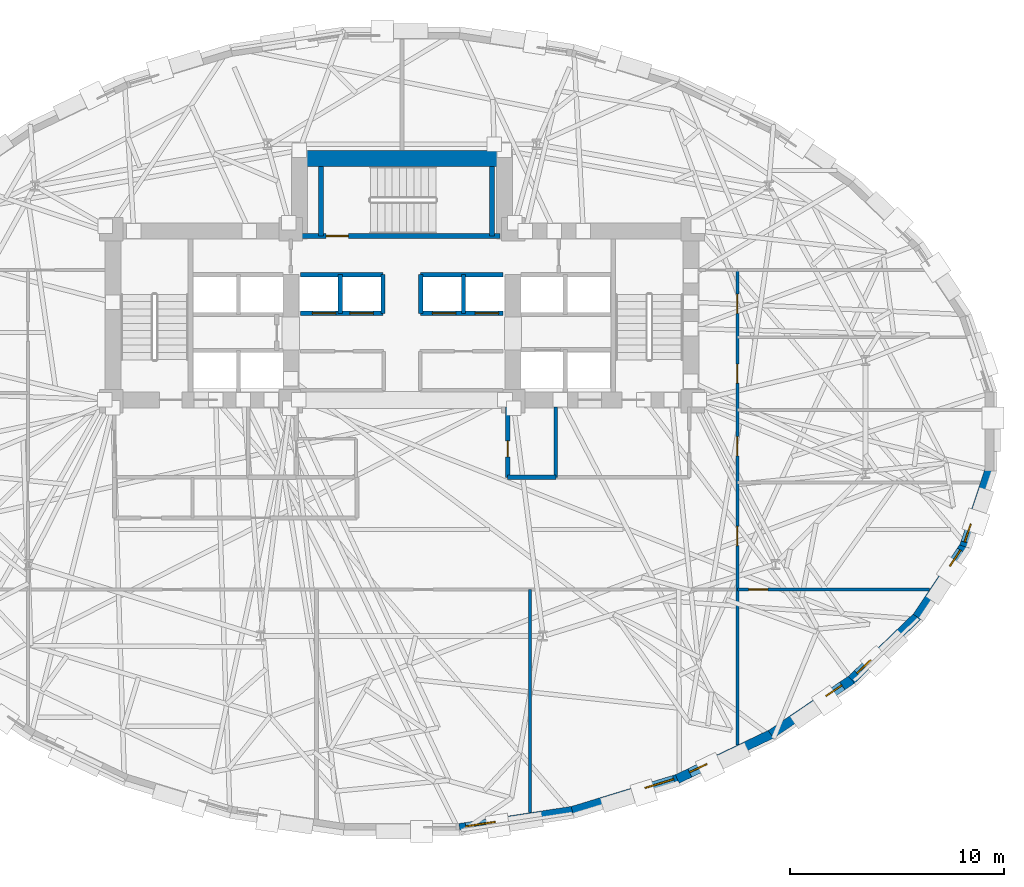
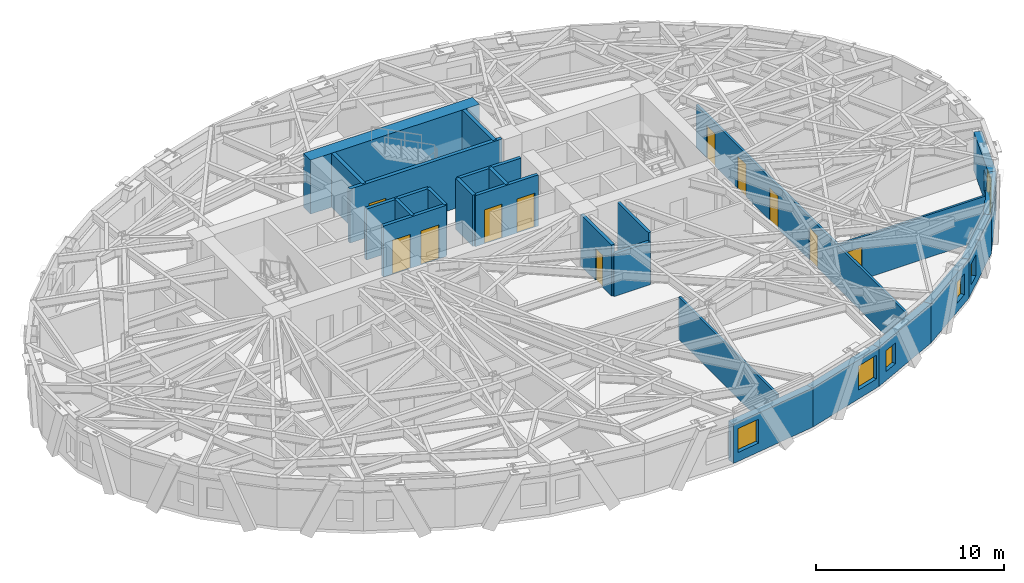
# One storey, part 8 of 14: 25 walls, 11 doors, 7 windows, 18 openings.
"""IFC4 building model written with IfcOpenShell, lengths in metres."""

from ifc_helpers import new_model, si_unit, direction, frame, frame_2d, origin, place, context, subcontext, project, spatial, rectangle, extrude, material, layer, layer_set, type_object, element, fill, save


model = new_model("IFC4")

# Units and contexts
model_context = context("Model", 3, precision=1e-05, world=origin(), true_north=direction((0.0, 1.0)))
body_context = subcontext(model_context, "Body", "Model", "MODEL_VIEW")
ifc_project = project(units=[si_unit("LENGTHUNIT", "METRE"), si_unit("AREAUNIT", "SQUARE_METRE"), si_unit("VOLUMEUNIT", "CUBIC_METRE"), si_unit("PLANEANGLEUNIT", "RADIAN"), si_unit("MASSUNIT", "GRAM", prefix="KILO")], contexts=[model_context])

# Site, building, storey
site_placement = place(None, origin())
site = spatial("IfcSite", under=ifc_project, at=site_placement, CompositionType="ELEMENT")
building_placement = place(site_placement, origin())
building = spatial("IfcBuilding", under=site, at=building_placement, Name="Keldmark Tower", CompositionType="ELEMENT")
storey_placement = place(building_placement, frame((0.0, 0.0, 107.10009765625)))
storey = spatial("IfcBuildingStorey", under=building, at=storey_placement, Name="L28", CompositionType="ELEMENT", Elevation=107.10009765625)

# Wall, openings, doors
ifc_material_1 = material(Name="Acoustic Double-Layer Gypsum Corridor Partition", Category="gypsum")
ifc_layer_1 = layer(ifc_material_1, 0.139892578125)
ifc_layer_set_1 = layer_set([ifc_layer_1], Name="Acoustic Double-Layer Gypsum Corridor Partition")
wall_type_1 = type_object("IfcWallType", Name="Acoustic Corridor Partition 140 mm", PredefinedType="PARTITIONING", material=ifc_layer_set_1)
wall_1_placement = place(storey_placement, frame((15.699951171875, -14.6748046875, 0.0), z_axis=(0.0, 0.0, 1.0), x_axis=(0.0, 1.0, 0.0)))
wall_1 = element("IfcWall", 1, at=wall_1_placement, inside=storey, type_object=wall_type_1, Name="L28 Acoustic Corridor Partition 140 mm COR-E", PredefinedType="PARTITIONING", context=body_context, shape_type="SweptSolid", body=[
    extrude(rectangle(XDim=22.224853515625, YDim=0.139892578125, at=frame_2d((11.1123046875, 0.0))), origin(), (0.0, 0.0, 1.0), 2.762939453125),
])
opening_1_placement = place(wall_1_placement, frame((9.325439453125, 0.0, 0.0)))
opening_1 = element("IfcOpeningElement", 2, at=opening_1_placement, cuts=wall_1, Name="Opening D-IN090", PredefinedType="OPENING", context=body_context, shape_type="SweptSolid", body=[
    extrude(rectangle(XDim=0.89990234375, YDim=2.10009765625, at=frame_2d((0.449951171875, 1.050048828125))), frame((0.0, 0.079833984375, 0.0), z_axis=(0.0, -1.0, 0.0), x_axis=(1.0, 0.0, 0.0)), (0.0, 0.0, 1.0), 0.159912109375),
])
opening_2_placement = place(wall_1_placement, frame((13.525390625, 0.0, 0.0)))
opening_2 = element("IfcOpeningElement", 3, at=opening_2_placement, cuts=wall_1, Name="Opening D-IN090", PredefinedType="OPENING", context=body_context, shape_type="SweptSolid", body=[
    extrude(rectangle(XDim=0.89990234375, YDim=2.10009765625, at=frame_2d((0.449951171875, 1.050048828125))), frame((0.0, 0.079833984375, 0.0), z_axis=(0.0, -1.0, 0.0), x_axis=(1.0, 0.0, 0.0)), (0.0, 0.0, 1.0), 0.159912109375),
])
opening_3_placement = place(wall_1_placement, frame((16.92529296875, 0.0, 0.0)))
opening_3 = element("IfcOpeningElement", 4, at=opening_3_placement, cuts=wall_1, Name="Opening D-IN090", PredefinedType="OPENING", context=body_context, shape_type="SweptSolid", body=[
    extrude(rectangle(XDim=0.89990234375, YDim=2.10009765625, at=frame_2d((0.449951171875, 1.050048828125))), frame((0.0, 0.079833984375, 0.0), z_axis=(0.0, -1.0, 0.0), x_axis=(1.0, 0.0, 0.0)), (0.0, 0.0, 1.0), 0.159912109375),
])
opening_4_placement = place(wall_1_placement, frame((20.200439453125, 0.0, 0.0)))
opening_4 = element("IfcOpeningElement", 5, at=opening_4_placement, cuts=wall_1, Name="Opening D-IN090", PredefinedType="OPENING", context=body_context, shape_type="SweptSolid", body=[
    extrude(rectangle(XDim=0.89990234375, YDim=2.10009765625, at=frame_2d((0.449951171875, 1.050048828125))), frame((0.0, 0.079833984375, 0.0), z_axis=(0.0, -1.0, 0.0), x_axis=(1.0, 0.0, 0.0)), (0.0, 0.0, 1.0), 0.159912109375),
])
ifc_material_2 = material(Name="Stained American White Oak Veneer", Category="wood")
door_type_1 = type_object("IfcDoorType", Name="Interior Door 900x2100", OperationType="NOTDEFINED", PredefinedType="DOOR", material=ifc_material_2)
door_1_placement = place(opening_1_placement, origin())
door_1 = element("IfcDoor", 6, at=door_1_placement, inside=storey, type_object=door_type_1, Name="L28 Interior Door 900x2100 D-ER-1-L28", OperationType="SINGLE_SWING_RIGHT", OverallHeight=2.10009765625, OverallWidth=0.89990234375, PredefinedType="DOOR", context=body_context, shape_type="SweptSolid", body=[
    extrude(rectangle(XDim=0.89990234375, YDim=2.10009765625, at=frame_2d((0.449951171875, 1.050048828125))), frame((0.0, 0.02490234375, 0.0), z_axis=(0.0, -1.0, 0.0), x_axis=(1.0, 0.0, 0.0)), (0.0, 0.0, 1.0), 0.050048828125),
])
fill(opening_1, door_1)
door_2_placement = place(opening_2_placement, origin())
door_2 = element("IfcDoor", 7, at=door_2_placement, inside=storey, type_object=door_type_1, Name="L28 Interior Door 900x2100 D-ER-2-L28", OperationType="SINGLE_SWING_LEFT", OverallHeight=2.10009765625, OverallWidth=0.89990234375, PredefinedType="DOOR", context=body_context, shape_type="SweptSolid", body=[
    extrude(rectangle(XDim=0.89990234375, YDim=2.10009765625, at=frame_2d((0.449951171875, 1.050048828125))), frame((0.0, 0.02490234375, 0.0), z_axis=(0.0, -1.0, 0.0), x_axis=(1.0, 0.0, 0.0)), (0.0, 0.0, 1.0), 0.050048828125),
])
fill(opening_2, door_2)
door_3_placement = place(opening_3_placement, origin())
door_3 = element("IfcDoor", 8, at=door_3_placement, inside=storey, type_object=door_type_1, Name="L28 Interior Door 900x2100 D-ER-3-L28", OperationType="SINGLE_SWING_RIGHT", OverallHeight=2.10009765625, OverallWidth=0.89990234375, PredefinedType="DOOR", context=body_context, shape_type="SweptSolid", body=[
    extrude(rectangle(XDim=0.89990234375, YDim=2.10009765625, at=frame_2d((0.449951171875, 1.050048828125))), frame((0.0, 0.02490234375, 0.0), z_axis=(0.0, -1.0, 0.0), x_axis=(1.0, 0.0, 0.0)), (0.0, 0.0, 1.0), 0.050048828125),
])
fill(opening_3, door_3)
door_4_placement = place(opening_4_placement, origin())
door_4 = element("IfcDoor", 9, at=door_4_placement, inside=storey, type_object=door_type_1, Name="L28 Interior Door 900x2100 D-ER-4-L28", OperationType="SINGLE_SWING_LEFT", OverallHeight=2.10009765625, OverallWidth=0.89990234375, PredefinedType="DOOR", context=body_context, shape_type="SweptSolid", body=[
    extrude(rectangle(XDim=0.89990234375, YDim=2.10009765625, at=frame_2d((0.449951171875, 1.050048828125))), frame((0.0, 0.02490234375, 0.0), z_axis=(0.0, -1.0, 0.0), x_axis=(1.0, 0.0, 0.0)), (0.0, 0.0, 1.0), 0.050048828125),
])
fill(opening_4, door_4)

# Wall
ifc_material_3 = material(Name="Acoustic Gypsum Board Interior Partition", Category="gypsum")
ifc_layer_2 = layer(ifc_material_3, 0.1298828125)
ifc_layer_set_2 = layer_set([ifc_layer_2], Name="Acoustic Gypsum Board Interior Partition")
wall_type_2 = type_object("IfcWallType", Name="Interior Partition 130 mm", PredefinedType="PARTITIONING", material=ifc_layer_set_2)
wall_2_placement = place(storey_placement, frame((6.0, -17.837646484375, 0.0), z_axis=(0.0, 0.0, 1.0), x_axis=(0.0, 1.0, 0.0)))
element("IfcWall", 10, at=wall_2_placement, inside=storey, type_object=wall_type_2, Name="L28 Interior Partition 130 mm S-DIV-2", PredefinedType="PARTITIONING", context=body_context, shape_type="SweptSolid", body=[
    extrude(rectangle(XDim=10.437744140625, YDim=0.1298828125, at=frame_2d((5.21875, 0.0))), origin(), (0.0, 0.0, 1.0), 2.762939453125),
])

# Wall, opening, door
wall_3_placement = place(storey_placement, frame((15.699951171875, -7.39990234375, 0.0), z_axis=(0.0, 0.0, 1.0), x_axis=(1.0, 0.0, 0.0)))
wall_3 = element("IfcWall", 11, at=wall_3_placement, inside=storey, type_object=wall_type_2, Name="L28 Interior Partition 130 mm E-CAP-S", PredefinedType="PARTITIONING", context=body_context, shape_type="SweptSolid", body=[
    extrude(rectangle(XDim=8.98876953125, YDim=0.1298828125, at=frame_2d((4.494384765625, 0.0))), origin(), (0.0, 0.0, 1.0), 2.762939453125),
])
opening_5_placement = place(wall_3_placement, frame((0.530029296875, 0.0, 0.0)))
opening_5 = element("IfcOpeningElement", 12, at=opening_5_placement, cuts=wall_3, Name="Opening D-IN090", PredefinedType="OPENING", context=body_context, shape_type="SweptSolid", body=[
    extrude(rectangle(XDim=0.89990234375, YDim=2.10009765625, at=frame_2d((0.449951171875, 1.050048828125))), frame((0.0, 0.074951171875, 0.0), z_axis=(0.0, -1.0, 0.0), x_axis=(1.0, 0.0, 0.0)), (0.0, 0.0, 1.0), 0.14990234375),
])
door_5_placement = place(opening_5_placement, origin())
door_5 = element("IfcDoor", 13, at=door_5_placement, inside=storey, type_object=door_type_1, Name="L28 Interior Door 900x2100 D-ERSE-L28", OperationType="SINGLE_SWING_LEFT", OverallHeight=2.10009765625, OverallWidth=0.89990234375, PredefinedType="DOOR", context=body_context, shape_type="SweptSolid", body=[
    extrude(rectangle(XDim=0.89990234375, YDim=2.10009765625, at=frame_2d((0.449951171875, 1.050048828125))), frame((0.0, 0.02490234375, 0.0), z_axis=(0.0, -1.0, 0.0), x_axis=(1.0, 0.0, 0.0)), (0.0, 0.0, 1.0), 0.050048828125),
])
fill(opening_5, door_5)

# Walls
ifc_material_4 = material(Name="Concrete C70/85", Category="concrete")
ifc_layer_3 = layer(ifc_material_4, 0.75)
ifc_layer_set_3 = layer_set([ifc_layer_3], Name="Concrete C70/85")
wall_type_3 = type_object("IfcWallType", Name="Low-Mid Core Shear Wall 750 mm", PredefinedType="SHEAR", material=ifc_layer_set_3)
wall_4_placement = place(storey_placement, frame((-5.175048828125, 12.77490234375, 0.0), z_axis=(0.0, 0.0, 1.0), x_axis=(1.0, 0.0, 0.0)))
element("IfcWall", 14, at=wall_4_placement, inside=storey, type_object=wall_type_3, Name="L28 North Core Shear Wall", PredefinedType="SHEAR", context=body_context, shape_type="SweptSolid", body=[
    extrude(rectangle(XDim=10.35009765625, YDim=0.75, at=frame_2d((5.175048828125, 0.0))), origin(), (0.0, 0.0, 1.0), 3.5),
])
ifc_material_5 = material(Name="Type X Fire-Rated Gypsum Partition Assembly", Category="gypsum")
ifc_layer_4 = layer(ifc_material_5, 0.1650390625)
ifc_layer_set_4 = layer_set([ifc_layer_4], Name="Type X Fire-Rated Gypsum Partition Assembly")
wall_type_4 = type_object("IfcWallType", Name="Rated Partition 165 mm", PredefinedType="PARTITIONING", material=ifc_layer_set_4)
wall_5_placement = place(storey_placement, frame((7.199951171875, -2.14990234375, 0.0), z_axis=(0.0, 0.0, 1.0), x_axis=(0.0, 1.0, 0.0)))
element("IfcWall", 15, at=wall_5_placement, inside=storey, type_object=wall_type_4, Name="L28 Rated Partition 165 mm FSAE-E-W", PredefinedType="PARTITIONING", context=body_context, shape_type="SweptSolid", body=[
    extrude(rectangle(XDim=3.2998046875, YDim=0.1650390625, at=frame_2d((1.64990234375, 0.0))), origin(), (0.0, 0.0, 1.0), 3.309814453125),
])
ifc_material_6 = material(Name="Fire-Resistant Type X Gypsum Shaftliner Coreboard", Category="gypsum")
ifc_layer_5 = layer(ifc_material_6, 0.199951171875)
ifc_layer_set_5 = layer_set([ifc_layer_5], Name="Fire-Resistant Type X Gypsum Shaftliner Coreboard")
wall_type_5 = type_object("IfcWallType", Name="Shaft Wall 200 mm", PredefinedType="SOLIDWALL", material=ifc_layer_set_5)
wall_6_placement = place(storey_placement, frame((4.949951171875, -2.14990234375, 0.0), z_axis=(0.0, 0.0, 1.0), x_axis=(1.0, 0.0, 0.0)))
element("IfcWall", 16, at=wall_6_placement, inside=storey, type_object=wall_type_5, Name="L28 Shaft Wall 200 mm RIS-SE-S", PredefinedType="SOLIDWALL", context=body_context, shape_type="SweptSolid", body=[
    extrude(rectangle(XDim=2.25, YDim=0.199951171875, at=frame_2d((1.125, 0.0))), origin(), (0.0, 0.0, 1.0), 2.762939453125),
])

# Wall, opening, door
wall_7_placement = place(storey_placement, frame((4.949951171875, -2.14990234375, 0.0), z_axis=(0.0, 0.0, 1.0), x_axis=(0.0, 1.0, 0.0)))
wall_7 = element("IfcWall", 17, at=wall_7_placement, inside=storey, type_object=wall_type_5, Name="L28 Shaft Wall 200 mm RIS-SE-W", PredefinedType="SOLIDWALL", context=body_context, shape_type="SweptSolid", body=[
    extrude(rectangle(XDim=3.2998046875, YDim=0.199951171875, at=frame_2d((1.64990234375, 0.0))), origin(), (0.0, 0.0, 1.0), 3.309814453125),
])
opening_6_placement = place(wall_7_placement, frame((0.949951171875, 0.0, 0.0)))
opening_6 = element("IfcOpeningElement", 18, at=opening_6_placement, cuts=wall_7, Name="Opening D-RS075", PredefinedType="OPENING", context=body_context, shape_type="SweptSolid", body=[
    extrude(rectangle(XDim=0.75, YDim=2.10009765625, at=frame_2d((0.375, 1.050048828125))), frame((0.0, 0.10986328125, 0.0), z_axis=(0.0, -1.0, 0.0), x_axis=(1.0, 0.0, 0.0)), (0.0, 0.0, 1.0), 0.219970703125),
])
ifc_material_7 = material(Name="Galvanized Fire-Rated Access Leaf", Category="metal")
door_type_2 = type_object("IfcDoorType", Name="Riser Access Door 750x2100", OperationType="NOTDEFINED", PredefinedType="DOOR", material=ifc_material_7)
door_6_placement = place(opening_6_placement, origin())
door_6 = element("IfcDoor", 19, at=door_6_placement, inside=storey, type_object=door_type_2, Name="L28 Riser Access Door 750x2100 D-RISSE-L28", OperationType="SINGLE_SWING_LEFT", OverallHeight=2.10009765625, OverallWidth=0.75, PredefinedType="DOOR", context=body_context, shape_type="SweptSolid", body=[
    extrude(rectangle(XDim=0.75, YDim=2.10009765625, at=frame_2d((0.375, 1.050048828125))), frame((0.0, 0.02490234375, 0.0), z_axis=(0.0, -1.0, 0.0), x_axis=(1.0, 0.0, 0.0)), (0.0, 0.0, 1.0), 0.050048828125),
])
fill(opening_6, door_6)

# Wall, openings, doors
wall_8_placement = place(storey_placement, frame((-4.739990234375, 5.52001953125, 0.0), z_axis=(0.0, 0.0, 1.0), x_axis=(1.0, 0.0, 0.0)))
wall_8 = element("IfcWall", 20, at=wall_8_placement, inside=storey, type_object=wall_type_5, Name="L28 Shaft Wall 200 mm MID-S-W", PredefinedType="SOLIDWALL", context=body_context, shape_type="SweptSolid", body=[
    extrude(rectangle(XDim=3.860107421875, YDim=0.199951171875, at=frame_2d((1.93017578125, 0.0))), origin(), (0.0, 0.0, 1.0), 3.309814453125),
])
opening_7_placement = place(wall_8_placement, frame((0.550048828125, 0.0, 0.0)))
opening_7 = element("IfcOpeningElement", 21, at=opening_7_placement, cuts=wall_8, Name="Opening LD-110", PredefinedType="OPENING", context=body_context, shape_type="SweptSolid", body=[
    extrude(rectangle(XDim=1.10009765625, YDim=2.199951171875, at=frame_2d((0.550048828125, 1.10009765625))), frame((0.0, 0.10986328125, 0.0), z_axis=(0.0, -1.0, 0.0), x_axis=(1.0, 0.0, 0.0)), (0.0, 0.0, 1.0), 0.219970703125),
])
opening_8_placement = place(wall_8_placement, frame((2.300048828125, 0.0, 0.0)))
opening_8 = element("IfcOpeningElement", 22, at=opening_8_placement, cuts=wall_8, Name="Opening LD-110", PredefinedType="OPENING", context=body_context, shape_type="SweptSolid", body=[
    extrude(rectangle(XDim=1.10009765625, YDim=2.199951171875, at=frame_2d((0.550048828125, 1.10009765625))), frame((0.0, 0.10986328125, 0.0), z_axis=(0.0, -1.0, 0.0), x_axis=(1.0, 0.0, 0.0)), (0.0, 0.0, 1.0), 0.219970703125),
])
ifc_material_8 = material(Name="Brushed Bronze Hoistway Sliding Leaf", Category="metal")
door_type_3 = type_object("IfcDoorType", Name="Lift Landing Sliding Door 1100x2200", OperationType="SLIDING_TO_LEFT", PredefinedType="DOOR", material=ifc_material_8)
door_7_placement = place(opening_7_placement, origin())
door_7 = element("IfcDoor", 23, at=door_7_placement, inside=storey, type_object=door_type_3, Name="L28 Lift Landing Sliding Door 1100x2200 LD-EL-M1-L28", OperationType="SLIDING_TO_LEFT", OverallHeight=2.199951171875, OverallWidth=1.10009765625, PredefinedType="DOOR", context=body_context, shape_type="SweptSolid", body=[
    extrude(rectangle(XDim=1.10009765625, YDim=2.199951171875, at=frame_2d((0.550048828125, 1.10009765625))), frame((0.0, 0.02490234375, 0.0), z_axis=(0.0, -1.0, 0.0), x_axis=(1.0, 0.0, 0.0)), (0.0, 0.0, 1.0), 0.050048828125),
])
fill(opening_7, door_7)
door_8_placement = place(opening_8_placement, origin())
door_8 = element("IfcDoor", 24, at=door_8_placement, inside=storey, type_object=door_type_3, Name="L28 Lift Landing Sliding Door 1100x2200 LD-EL-M2-L28", OperationType="SLIDING_TO_LEFT", OverallHeight=2.199951171875, OverallWidth=1.10009765625, PredefinedType="DOOR", context=body_context, shape_type="SweptSolid", body=[
    extrude(rectangle(XDim=1.10009765625, YDim=2.199951171875, at=frame_2d((0.550048828125, 1.10009765625))), frame((0.0, 0.02490234375, 0.0), z_axis=(0.0, -1.0, 0.0), x_axis=(1.0, 0.0, 0.0)), (0.0, 0.0, 1.0), 0.050048828125),
])
fill(opening_8, door_8)

wall_9_placement = place(storey_placement, frame((0.8798828125, 5.52001953125, 0.0), z_axis=(0.0, 0.0, 1.0), x_axis=(1.0, 0.0, 0.0)))
wall_9 = element("IfcWall", 25, at=wall_9_placement, inside=storey, type_object=wall_type_5, Name="L28 Shaft Wall 200 mm MID-S-E", PredefinedType="SOLIDWALL", context=body_context, shape_type="SweptSolid", body=[
    extrude(rectangle(XDim=3.860107421875, YDim=0.199951171875, at=frame_2d((1.93017578125, 0.0))), origin(), (0.0, 0.0, 1.0), 3.309814453125),
])
opening_9_placement = place(wall_9_placement, frame((0.550048828125, 0.0, 0.0)))
opening_9 = element("IfcOpeningElement", 26, at=opening_9_placement, cuts=wall_9, Name="Opening LD-110", PredefinedType="OPENING", context=body_context, shape_type="SweptSolid", body=[
    extrude(rectangle(XDim=1.10009765625, YDim=2.199951171875, at=frame_2d((0.550048828125, 1.10009765625))), frame((0.0, 0.10986328125, 0.0), z_axis=(0.0, -1.0, 0.0), x_axis=(1.0, 0.0, 0.0)), (0.0, 0.0, 1.0), 0.219970703125),
])
opening_10_placement = place(wall_9_placement, frame((2.550048828125, 0.0, 0.0)))
opening_10 = element("IfcOpeningElement", 27, at=opening_10_placement, cuts=wall_9, Name="Opening LD-110", PredefinedType="OPENING", context=body_context, shape_type="SweptSolid", body=[
    extrude(rectangle(XDim=1.10009765625, YDim=2.199951171875, at=frame_2d((0.550048828125, 1.10009765625))), frame((0.0, 0.10986328125, 0.0), z_axis=(0.0, -1.0, 0.0), x_axis=(1.0, 0.0, 0.0)), (0.0, 0.0, 1.0), 0.219970703125),
])
door_9_placement = place(opening_9_placement, origin())
door_9 = element("IfcDoor", 28, at=door_9_placement, inside=storey, type_object=door_type_3, Name="L28 Lift Landing Sliding Door 1100x2200 LD-EL-M3-L28", OperationType="SLIDING_TO_LEFT", OverallHeight=2.199951171875, OverallWidth=1.10009765625, PredefinedType="DOOR", context=body_context, shape_type="SweptSolid", body=[
    extrude(rectangle(XDim=1.10009765625, YDim=2.199951171875, at=frame_2d((0.550048828125, 1.10009765625))), frame((0.0, 0.02490234375, 0.0), z_axis=(0.0, -1.0, 0.0), x_axis=(1.0, 0.0, 0.0)), (0.0, 0.0, 1.0), 0.050048828125),
])
fill(opening_9, door_9)
door_10_placement = place(opening_10_placement, origin())
door_10 = element("IfcDoor", 29, at=door_10_placement, inside=storey, type_object=door_type_3, Name="L28 Lift Landing Sliding Door 1100x2200 LD-EL-M4-L28", OperationType="SLIDING_TO_LEFT", OverallHeight=2.199951171875, OverallWidth=1.10009765625, PredefinedType="DOOR", context=body_context, shape_type="SweptSolid", body=[
    extrude(rectangle(XDim=1.10009765625, YDim=2.199951171875, at=frame_2d((0.550048828125, 1.10009765625))), frame((0.0, 0.02490234375, 0.0), z_axis=(0.0, -1.0, 0.0), x_axis=(1.0, 0.0, 0.0)), (0.0, 0.0, 1.0), 0.050048828125),
])
fill(opening_10, door_10)

# Walls
for number, where, z_axis, x_axis, name in (
    (30, (-4.739990234375, 7.330078125, 0.0), (0.0, 0.0, 1.0), (1.0, 0.0, 0.0), "L28 Shaft Wall 200 mm MID-N-W"),
    (31, (0.8798828125, 7.330078125, 0.0), (0.0, 0.0, 1.0), (1.0, 0.0, 0.0), "L28 Shaft Wall 200 mm MID-N-E"),
):
    element("IfcWall", number, at=place(storey_placement, frame(where, z_axis=z_axis, x_axis=x_axis)), inside=storey, type_object=wall_type_5, Name=name, PredefinedType="SOLIDWALL", context=body_context, shape_type="SweptSolid", body=[
        extrude(rectangle(XDim=3.860107421875, YDim=0.199951171875, at=frame_2d((1.93017578125, 0.0))), origin(), (0.0, 0.0, 1.0), 3.309814453125),
    ])
for number, where, z_axis, x_axis, name in (
    (32, (-2.8798828125, 5.52001953125, 0.0), (0.0, 0.0, 1.0), (0.0, 1.0, 0.0), "L28 Shaft Wall 200 mm MID-M-W"),
    (33, (2.8798828125, 5.52001953125, 0.0), (0.0, 0.0, 1.0), (0.0, 1.0, 0.0), "L28 Shaft Wall 200 mm MID-M-E"),
    (34, (-0.8798828125, 5.52001953125, 0.0), (0.0, 0.0, 1.0), (0.0, 1.0, 0.0), "L28 Shaft Wall 200 mm MID-C-W"),
    (35, (0.8798828125, 5.52001953125, 0.0), (0.0, 0.0, 1.0), (0.0, 1.0, 0.0), "L28 Shaft Wall 200 mm MID-C-E"),
):
    element("IfcWall", number, at=place(storey_placement, frame(where, z_axis=z_axis, x_axis=x_axis)), inside=storey, type_object=wall_type_5, Name=name, PredefinedType="SOLIDWALL", context=body_context, shape_type="SweptSolid", body=[
        extrude(rectangle(XDim=1.81005859375, YDim=0.199951171875, at=frame_2d((0.905029296875, 0.0))), origin(), (0.0, 0.0, 1.0), 3.309814453125),
    ])

# Wall, opening, door
ifc_material_9 = material(Name="Concrete C50/60", Category="concrete")
ifc_layer_6 = layer(ifc_material_9, 0.219970703125)
ifc_layer_set_6 = layer_set([ifc_layer_6], Name="Concrete C50/60")
wall_type_6 = type_object("IfcWallType", Name="Stair Core Shear Wall 220 mm", PredefinedType="SHEAR", material=ifc_layer_set_6)
wall_10_placement = place(storey_placement, frame((-4.699951171875, 9.139892578125, 0.0), z_axis=(0.0, 0.0, 1.0), x_axis=(1.0, 0.0, 0.0)))
wall_10 = element("IfcWall", 36, at=wall_10_placement, inside=storey, type_object=wall_type_6, Name="L28 Central Stair Core South Shear Wall", PredefinedType="SHEAR", context=body_context, shape_type="SweptSolid", body=[
    extrude(rectangle(XDim=9.300048828125, YDim=0.219970703125, at=frame_2d((4.64990234375, 0.0))), origin(), (0.0, 0.0, 1.0), 3.5),
])
opening_11_placement = place(wall_10_placement, frame((1.14990234375, 0.0, 0.0)))
opening_11 = element("IfcOpeningElement", 37, at=opening_11_placement, cuts=wall_10, Name="Opening D-ST105", PredefinedType="OPENING", context=body_context, shape_type="SweptSolid", body=[
    extrude(rectangle(XDim=1.050048828125, YDim=2.14990234375, at=frame_2d((0.52490234375, 1.074951171875))), frame((0.0, 0.119873046875, 0.0), z_axis=(0.0, -1.0, 0.0), x_axis=(1.0, 0.0, 0.0)), (0.0, 0.0, 1.0), 0.239990234375),
])
ifc_material_10 = material(Name="Hollow Metal Fire-Rated Door Assembly", Category="metal")
door_type_4 = type_object("IfcDoorType", Name="Stair Fire Door 1050x2150", OperationType="NOTDEFINED", PredefinedType="DOOR", material=ifc_material_10)
door_11_placement = place(opening_11_placement, origin())
door_11 = element("IfcDoor", 38, at=door_11_placement, inside=storey, type_object=door_type_4, Name="L28 Stair Fire Door 1050x2150 D-ST3-L28", OperationType="SINGLE_SWING_RIGHT", OverallHeight=2.14990234375, OverallWidth=1.050048828125, PredefinedType="DOOR", context=body_context, shape_type="SweptSolid", body=[
    extrude(rectangle(XDim=1.050048828125, YDim=2.14990234375, at=frame_2d((0.52490234375, 1.074951171875))), frame((0.0, 0.02490234375, 0.0), z_axis=(0.0, -1.0, 0.0), x_axis=(1.0, 0.0, 0.0)), (0.0, 0.0, 1.0), 0.050048828125),
])
fill(opening_11, door_11)

# Walls
for number, where, z_axis, x_axis, name in (
    (39, (-3.784912109375, 9.139892578125, 0.0), (0.0, 0.0, 1.0), (0.0, 1.0, 0.0), "L28 Central Stair Core West Shear Wall"),
    (40, (4.215087890625, 9.139892578125, 0.0), (0.0, 0.0, 1.0), (0.0, 1.0, 0.0), "L28 Central Stair Core East Shear Wall"),
):
    element("IfcWall", number, at=place(storey_placement, frame(where, z_axis=z_axis, x_axis=x_axis)), inside=storey, type_object=wall_type_6, Name=name, PredefinedType="SHEAR", context=body_context, shape_type="SweptSolid", body=[
        extrude(rectangle(XDim=3.260009765625, YDim=0.219970703125, at=frame_2d((1.6298828125, 0.0))), origin(), (0.0, 0.0, 1.0), 3.5),
    ])

# Wall, opening, window
ifc_material_11 = material(Name="Ironspot Manganese Brick and Kasota Buff Limestone Spandrel Assembly", Category="masonry")
ifc_layer_7 = layer(ifc_material_11, 0.43994140625)
ifc_layer_set_7 = layer_set([ifc_layer_7], Name="Ironspot Manganese Brick and Kasota Buff Limestone Spandrel Assembly")
wall_type_7 = type_object("IfcWallType", Name="Tower Brick Pier and Spandrel Wall 440 mm", PredefinedType="STANDARD", material=ifc_layer_set_7)
wall_11_placement = place(storey_placement, frame((8.012451171875, -17.76220703125, 0.0), z_axis=(0.0, 0.0, 1.0), x_axis=(-0.988627497469, -0.150385076545, 0.0)))
wall_11 = element("IfcWall", 41, at=wall_11_placement, inside=storey, type_object=wall_type_7, Name="L28 Exterior Brick and Spandrel Wall 25", PredefinedType="STANDARD", context=body_context, shape_type="SweptSolid", body=[
    extrude(rectangle(XDim=5.376708984375, YDim=0.43994140625, at=frame_2d((2.6884765625, 0.0))), origin(), (0.0, 0.0, 1.0), 2.52783203125),
])
opening_12_placement = place(wall_11_placement, frame((3.677490234375, 0.0, 0.580078125)))
opening_12 = element("IfcOpeningElement", 42, at=opening_12_placement, cuts=wall_11, Name="Opening W-08", PredefinedType="OPENING", context=body_context, shape_type="SweptSolid", body=[
    extrude(rectangle(XDim=1.39990234375, YDim=1.550048828125, at=frame_2d((0.699951171875, 0.77490234375))), frame((0.0, 0.22998046875, 0.0), z_axis=(0.0, -1.0, 0.0), x_axis=(1.0, 0.0, 0.0)), (0.0, 0.0, 1.0), 0.4599609375),
])
ifc_material_12 = material(Name="Thermally Broken Anodized Aluminum and Triple Low-E Argon Glazing", Category="aluminium")
window_type_1 = type_object("IfcWindowType", Name="Residential Corner Punched Window 1400x1550", PartitioningType="SINGLE_PANEL", PredefinedType="WINDOW", material=ifc_material_12)
window_1_placement = place(opening_12_placement, origin())
window_1 = element("IfcWindow", 43, at=window_1_placement, inside=storey, type_object=window_type_1, Name="L28 Deep-Set Window 25", OverallHeight=1.550048828125, OverallWidth=1.39990234375, PartitioningType="SINGLE_PANEL", PredefinedType="WINDOW", context=body_context, shape_type="SweptSolid", body=[
    extrude(rectangle(XDim=1.39990234375, YDim=1.550048828125, at=frame_2d((0.699951171875, 0.77490234375))), frame((0.0, -0.010009765625, 0.0), z_axis=(0.0, -1.0, 0.0), x_axis=(1.0, 0.0, 0.0)), (0.0, 0.0, 1.0), 0.06005859375),
])
fill(opening_12, window_1)

wall_12_placement = place(storey_placement, frame((12.92041015625, -16.2578125, 0.0), z_axis=(0.0, 0.0, 1.0), x_axis=(-0.956228569431, -0.292620783617, 0.0)))
wall_12 = element("IfcWall", 44, at=wall_12_placement, inside=storey, type_object=wall_type_7, Name="L28 Exterior Brick and Spandrel Wall 26", PredefinedType="STANDARD", context=body_context, shape_type="SweptSolid", body=[
    extrude(rectangle(XDim=5.165283203125, YDim=0.43994140625, at=frame_2d((2.58251953125, 0.0))), origin(), (0.0, 0.0, 1.0), 2.52783203125),
])
opening_13_placement = place(wall_12_placement, frame((0.199951171875, 0.0, 0.580078125)))
opening_13 = element("IfcOpeningElement", 45, at=opening_13_placement, cuts=wall_12, Name="Opening W-08", PredefinedType="OPENING", context=body_context, shape_type="SweptSolid", body=[
    extrude(rectangle(XDim=1.39990234375, YDim=1.550048828125, at=frame_2d((0.699951171875, 0.77490234375))), frame((0.0, 0.22998046875, 0.0), z_axis=(0.0, -1.0, 0.0), x_axis=(1.0, 0.0, 0.0)), (0.0, 0.0, 1.0), 0.4599609375),
])
window_2_placement = place(opening_13_placement, origin())
window_2 = element("IfcWindow", 46, at=window_2_placement, inside=storey, type_object=window_type_1, Name="L28 Deep-Set Window 26", OverallHeight=1.550048828125, OverallWidth=1.39990234375, PartitioningType="SINGLE_PANEL", PredefinedType="WINDOW", context=body_context, shape_type="SweptSolid", body=[
    extrude(rectangle(XDim=1.39990234375, YDim=1.550048828125, at=frame_2d((0.699951171875, 0.77490234375))), frame((0.0, -0.010009765625, 0.0), z_axis=(0.0, -1.0, 0.0), x_axis=(1.0, 0.0, 0.0)), (0.0, 0.0, 1.0), 0.06005859375),
])
fill(opening_13, window_2)

wall_13_placement = place(storey_placement, frame((17.294921875, -14.165771484375, 0.0), z_axis=(0.0, 0.0, 1.0), x_axis=(-0.902372757907, -0.430956385018, 0.0)))
wall_13 = element("IfcWall", 47, at=wall_13_placement, inside=storey, type_object=wall_type_7, Name="L28 Exterior Brick and Spandrel Wall 27", PredefinedType="STANDARD", context=body_context, shape_type="SweptSolid", body=[
    extrude(rectangle(XDim=4.881591796875, YDim=0.43994140625, at=frame_2d((2.44091796875, 0.0))), origin(), (0.0, 0.0, 1.0), 2.52783203125),
])
opening_14_placement = place(wall_13_placement, frame((3.333984375, 0.0, 0.580078125)))
opening_14 = element("IfcOpeningElement", 48, at=opening_14_placement, cuts=wall_13, Name="Opening W-09", PredefinedType="OPENING", context=body_context, shape_type="SweptSolid", body=[
    extrude(rectangle(XDim=0.89990234375, YDim=1.35009765625, at=frame_2d((0.449951171875, 0.675048828125))), frame((0.0, 0.22998046875, 0.0), z_axis=(0.0, -1.0, 0.0), x_axis=(1.0, 0.0, 0.0)), (0.0, 0.0, 1.0), 0.4599609375),
])
ifc_material_13 = material(Name="Thermally Broken Anodized Aluminum and Triple Low-E Argon Glazing", Category="aluminium")
window_type_2 = type_object("IfcWindowType", Name="Corner Pier Deep-Set Window 900x1350", PartitioningType="SINGLE_PANEL", PredefinedType="WINDOW", material=ifc_material_13)
window_3_placement = place(opening_14_placement, origin())
window_3 = element("IfcWindow", 49, at=window_3_placement, inside=storey, type_object=window_type_2, Name="L28 Deep-Set Window 27", OverallHeight=1.35009765625, OverallWidth=0.89990234375, PartitioningType="SINGLE_PANEL", PredefinedType="WINDOW", context=body_context, shape_type="SweptSolid", body=[
    extrude(rectangle(XDim=0.89990234375, YDim=1.35009765625, at=frame_2d((0.449951171875, 0.675048828125))), frame((0.0, -0.010009765625, 0.0), z_axis=(0.0, -1.0, 0.0), x_axis=(1.0, 0.0, 0.0)), (0.0, 0.0, 1.0), 0.06005859375),
])
fill(opening_14, window_3)

wall_14_placement = place(storey_placement, frame((21.066162109375, -11.6064453125, 0.0), z_axis=(0.0, 0.0, 1.0), x_axis=(-0.827754551165, -0.56109036975, 0.0)))
wall_14 = element("IfcWall", 50, at=wall_14_placement, inside=storey, type_object=wall_type_7, Name="L28 Exterior Brick and Spandrel Wall 28", PredefinedType="STANDARD", context=body_context, shape_type="SweptSolid", body=[
    extrude(rectangle(XDim=4.590576171875, YDim=0.43994140625, at=frame_2d((2.29541015625, 0.0))), origin(), (0.0, 0.0, 1.0), 2.52783203125),
])
opening_15_placement = place(wall_14_placement, frame((0.549072265625, 0.0, 0.580078125)))
opening_15 = element("IfcOpeningElement", 51, at=opening_15_placement, cuts=wall_14, Name="Opening W-09", PredefinedType="OPENING", context=body_context, shape_type="SweptSolid", body=[
    extrude(rectangle(XDim=0.89990234375, YDim=1.35009765625, at=frame_2d((0.449951171875, 0.675048828125))), frame((0.0, 0.22998046875, 0.0), z_axis=(0.0, -1.0, 0.0), x_axis=(1.0, 0.0, 0.0)), (0.0, 0.0, 1.0), 0.4599609375),
])
window_4_placement = place(opening_15_placement, origin())
window_4 = element("IfcWindow", 52, at=window_4_placement, inside=storey, type_object=window_type_2, Name="L28 Deep-Set Window 28", OverallHeight=1.35009765625, OverallWidth=0.89990234375, PartitioningType="SINGLE_PANEL", PredefinedType="WINDOW", context=body_context, shape_type="SweptSolid", body=[
    extrude(rectangle(XDim=0.89990234375, YDim=1.35009765625, at=frame_2d((0.449951171875, 0.675048828125))), frame((0.0, -0.010009765625, 0.0), z_axis=(0.0, -1.0, 0.0), x_axis=(1.0, 0.0, 0.0)), (0.0, 0.0, 1.0), 0.06005859375),
])
fill(opening_15, window_4)

wall_15_placement = place(storey_placement, frame((24.140380859375, -8.643798828125, 0.0), z_axis=(0.0, 0.0, 1.0), x_axis=(-0.720581378362, -0.693370375166, 0.0)))
wall_15 = element("IfcWall", 53, at=wall_15_placement, inside=storey, type_object=wall_type_7, Name="L28 Exterior Brick and Spandrel Wall 29", PredefinedType="STANDARD", context=body_context, shape_type="SweptSolid", body=[
    extrude(rectangle(XDim=4.306640625, YDim=0.43994140625, at=frame_2d((2.1533203125, 0.0))), origin(), (0.0, 0.0, 1.0), 2.52783203125),
])
opening_16_placement = place(wall_15_placement, frame((3.009521484375, 0.0, 0.580078125)))
opening_16 = element("IfcOpeningElement", 54, at=opening_16_placement, cuts=wall_15, Name="Opening W-09", PredefinedType="OPENING", context=body_context, shape_type="SweptSolid", body=[
    extrude(rectangle(XDim=0.89990234375, YDim=1.35009765625, at=frame_2d((0.449951171875, 0.675048828125))), frame((0.0, 0.22998046875, 0.0), z_axis=(0.0, -1.0, 0.0), x_axis=(1.0, 0.0, 0.0)), (0.0, 0.0, 1.0), 0.4599609375),
])
window_5_placement = place(opening_16_placement, origin())
window_5 = element("IfcWindow", 55, at=window_5_placement, inside=storey, type_object=window_type_2, Name="L28 Deep-Set Window 29", OverallHeight=1.35009765625, OverallWidth=0.89990234375, PartitioningType="SINGLE_PANEL", PredefinedType="WINDOW", context=body_context, shape_type="SweptSolid", body=[
    extrude(rectangle(XDim=0.89990234375, YDim=1.35009765625, at=frame_2d((0.449951171875, 0.675048828125))), frame((0.0, -0.010009765625, 0.0), z_axis=(0.0, -1.0, 0.0), x_axis=(1.0, 0.0, 0.0)), (0.0, 0.0, 1.0), 0.06005859375),
])
fill(opening_16, window_5)

wall_16_placement = place(storey_placement, frame((26.339599609375, -5.332275390625, 0.0), z_axis=(0.0, 0.0, 1.0), x_axis=(-0.554293965046, -0.83232097193, 0.0)))
wall_16 = element("IfcWall", 56, at=wall_16_placement, inside=storey, type_object=wall_type_7, Name="L28 Exterior Brick and Spandrel Wall 30", PredefinedType="STANDARD", context=body_context, shape_type="SweptSolid", body=[
    extrude(rectangle(XDim=4.022705078125, YDim=0.43994140625, at=frame_2d((2.01123046875, 0.0))), origin(), (0.0, 0.0, 1.0), 2.52783203125),
])
opening_17_placement = place(wall_16_placement, frame((0.299072265625, 0.0, 0.580078125)))
opening_17 = element("IfcOpeningElement", 57, at=opening_17_placement, cuts=wall_16, Name="Opening W-09", PredefinedType="OPENING", context=body_context, shape_type="SweptSolid", body=[
    extrude(rectangle(XDim=0.89990234375, YDim=1.35009765625, at=frame_2d((0.449951171875, 0.675048828125))), frame((0.0, 0.22998046875, 0.0), z_axis=(0.0, -1.0, 0.0), x_axis=(1.0, 0.0, 0.0)), (0.0, 0.0, 1.0), 0.4599609375),
])
window_6_placement = place(opening_17_placement, origin())
window_6 = element("IfcWindow", 58, at=window_6_placement, inside=storey, type_object=window_type_2, Name="L28 Deep-Set Window 30", OverallHeight=1.35009765625, OverallWidth=0.89990234375, PartitioningType="SINGLE_PANEL", PredefinedType="WINDOW", context=body_context, shape_type="SweptSolid", body=[
    extrude(rectangle(XDim=0.89990234375, YDim=1.35009765625, at=frame_2d((0.449951171875, 0.675048828125))), frame((0.0, -0.010009765625, 0.0), z_axis=(0.0, -1.0, 0.0), x_axis=(1.0, 0.0, 0.0)), (0.0, 0.0, 1.0), 0.06005859375),
])
fill(opening_17, window_6)

wall_17_placement = place(storey_placement, frame((27.5068359375, -1.781494140625, 0.0), z_axis=(0.0, 0.0, 1.0), x_axis=(-0.314316911692, -0.94931811266, 0.0)))
wall_17 = element("IfcWall", 59, at=wall_17_placement, inside=storey, type_object=wall_type_7, Name="L28 Exterior Brick and Spandrel Wall 31", PredefinedType="STANDARD", context=body_context, shape_type="SweptSolid", body=[
    extrude(rectangle(XDim=3.7958984375, YDim=0.43994140625, at=frame_2d((1.89794921875, 0.0))), origin(), (0.0, 0.0, 1.0), 2.52783203125),
])
opening_18_placement = place(wall_17_placement, frame((2.69580078125, 0.0, 0.580078125)))
opening_18 = element("IfcOpeningElement", 60, at=opening_18_placement, cuts=wall_17, Name="Opening W-09", PredefinedType="OPENING", context=body_context, shape_type="SweptSolid", body=[
    extrude(rectangle(XDim=0.89990234375, YDim=1.35009765625, at=frame_2d((0.449951171875, 0.675048828125))), frame((0.0, 0.22998046875, 0.0), z_axis=(0.0, -1.0, 0.0), x_axis=(1.0, 0.0, 0.0)), (0.0, 0.0, 1.0), 0.4599609375),
])
window_7_placement = place(opening_18_placement, origin())
window_7 = element("IfcWindow", 61, at=window_7_placement, inside=storey, type_object=window_type_2, Name="L28 Deep-Set Window 31", OverallHeight=1.35009765625, OverallWidth=0.89990234375, PartitioningType="SINGLE_PANEL", PredefinedType="WINDOW", context=body_context, shape_type="SweptSolid", body=[
    extrude(rectangle(XDim=0.89990234375, YDim=1.35009765625, at=frame_2d((0.449951171875, 0.675048828125))), frame((0.0, -0.010009765625, 0.0), z_axis=(0.0, -1.0, 0.0), x_axis=(1.0, 0.0, 0.0)), (0.0, 0.0, 1.0), 0.06005859375),
])
fill(opening_18, window_7)

save(model, "model.ifc")
